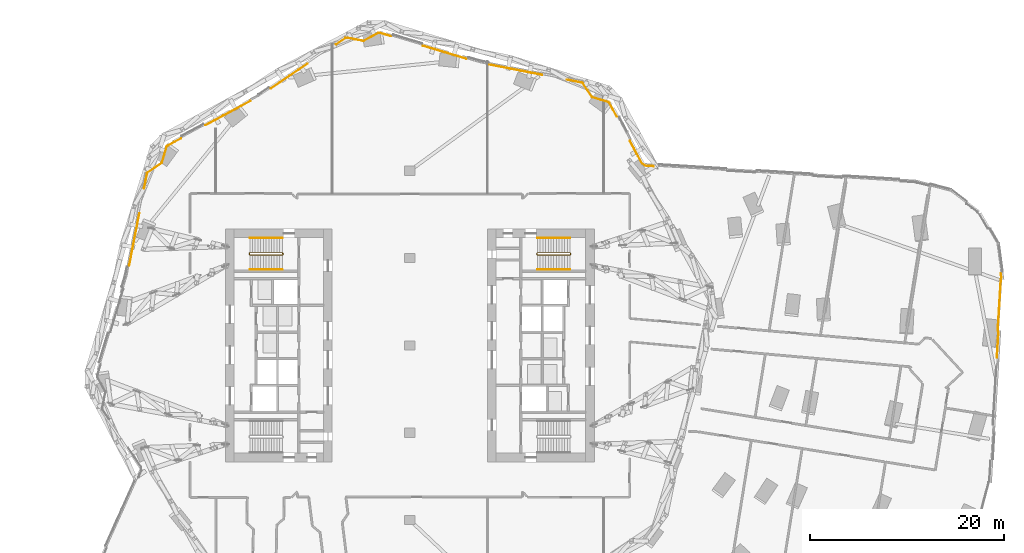
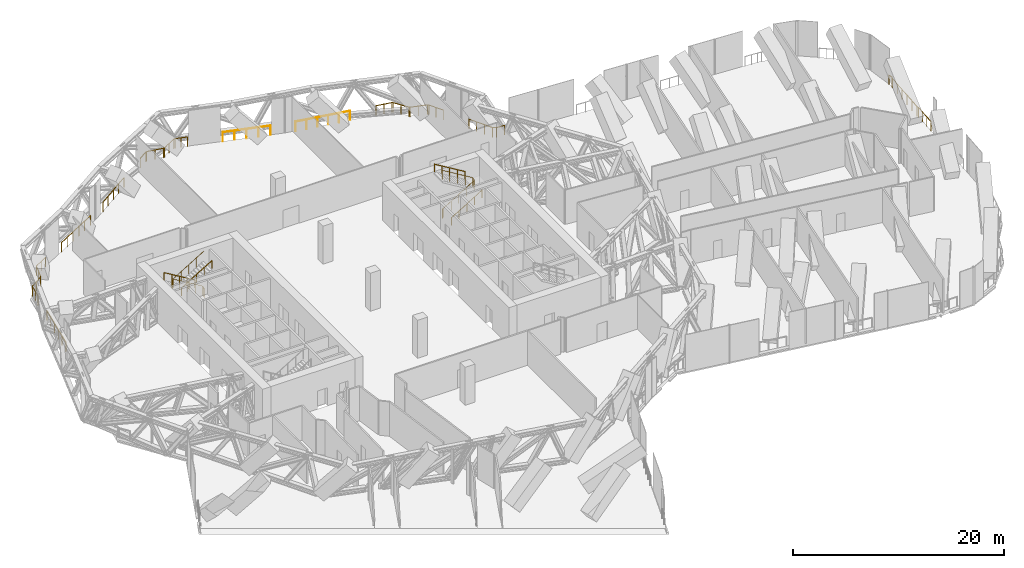
# One storey, part 37 of 39: 16 railings.
"""IFC4 building model written with IfcOpenShell, lengths in metres."""

from ifc_helpers import new_model, si_unit, direction, frame, origin, origin_2d, place, context, subcontext, project, spatial, circle, extrude, material, type_object, element, save


model = new_model("IFC4")

# Units and contexts
model_context = context("Model", 3, precision=1e-05, world=origin(), true_north=direction((0.0, 1.0)))
body_context = subcontext(model_context, "Body", "Model", "MODEL_VIEW")
ifc_project = project(units=[si_unit("LENGTHUNIT", "METRE"), si_unit("AREAUNIT", "SQUARE_METRE"), si_unit("VOLUMEUNIT", "CUBIC_METRE"), si_unit("PLANEANGLEUNIT", "RADIAN"), si_unit("MASSUNIT", "GRAM", prefix="KILO")], contexts=[model_context])

# Site, building, storey
site_placement = place(None, origin())
site = spatial("IfcSite", under=ifc_project, at=site_placement, CompositionType="ELEMENT")
building_placement = place(site_placement, origin())
building = spatial("IfcBuilding", under=site, at=building_placement, Name="Orlundy Tower", CompositionType="ELEMENT")
storey_placement = place(building_placement, frame((0.0, 0.0, 141.199951171875)))
storey = spatial("IfcBuildingStorey", under=building, at=storey_placement, Name="L36", CompositionType="ELEMENT", Elevation=141.199951171875)

# Railings
ifc_material_1 = material(Name="Steel balustrade", Category="steel")
railing_type_1 = type_object("IfcRailingType", Name="Stair Guard 1100", PredefinedType="GUARDRAIL", material=ifc_material_1)
railing_1_placement = place(storey_placement, frame((-13.090087890625, 9.5, 0.0)))
element("IfcRailing", 1, at=railing_1_placement, inside=storey, type_object=railing_type_1, Name="L36 ST-W1 stair guard 1", PredefinedType="GUARDRAIL", context=body_context, shape_type="SweptSolid", body=[
    extrude(circle(Radius=0.02392578125, at=origin_2d()), frame((0.0, 0.0, 1.076171875), z_axis=(0.0, -1.0, 0.0), x_axis=(1.0, 0.0, 0.0)), (0.0, 0.0, 1.0), 0.14990234375),
    extrude(circle(Radius=0.02392578125, at=origin_2d()), frame((0.0, -0.14990234375, 1.076171875), z_axis=(-0.186800498525, 0.749949060256, 0.634572281755), x_axis=(-0.970351222016, -0.241699205484, 0.0)), (0.0, 0.0, 1.0), 0.2666015625),
    extrude(circle(Radius=0.02392578125, at=origin_2d()), frame((-0.0498046875, 0.050048828125, 1.2451171875), z_axis=(-0.855836976705, 0.0, 0.517245656632), x_axis=(0.0, -1.0, 0.0)), (0.0, 0.0, 1.0), 3.926025390625),
    extrude(circle(Radius=0.02392578125, at=origin_2d()), frame((-3.409912109375, 0.050048828125, 3.27587890625), z_axis=(-0.707106781187, -0.707106781187, 0.0), x_axis=(0.707106781187, -0.707106781187, 0.0)), (0.0, 0.0, 1.0), 0.07080078125),
    extrude(circle(Radius=0.02392578125, at=origin_2d()), frame((-3.4599609375, 0.0, 3.27587890625), z_axis=(0.0, -1.0, 0.0), x_axis=(1.0, 0.0, 0.0)), (0.0, 0.0, 1.0), 0.14990234375),
    extrude(circle(Radius=0.02392578125, at=origin_2d()), frame((-3.4599609375, -0.14990234375, 3.27587890625), z_axis=(0.272562526181, -0.272562526181, 0.92272386912), x_axis=(0.707106781187, 0.707106781187, 0.0)), (0.0, 0.0, 1.0), 0.18359375),
    extrude(circle(Radius=0.02392578125, at=origin_2d()), frame((-3.409912109375, -0.199951171875, 3.4453125), z_axis=(0.855836976705, 0.0, 0.517245656632), x_axis=(0.0, 1.0, 0.0)), (0.0, 0.0, 1.0), 3.926025390625),
    extrude(circle(Radius=0.02099609375, at=origin_2d()), origin(), (0.0, 0.0, 1.0), 1.052001953125),
    extrude(circle(Radius=0.02099609375, at=origin_2d()), frame((0.0, -0.14990234375, 0.0)), (0.0, 0.0, 1.0), 1.052001953125),
    extrude(circle(Radius=0.02099609375, at=origin_2d()), frame((-0.0498046875, 0.050048828125, 0.169189453125)), (0.0, 0.0, 1.0), 1.052001953125),
    extrude(circle(Radius=0.02099609375, at=origin_2d()), frame((-0.889892578125, 0.050048828125, 0.6767578125)), (0.0, 0.0, 1.0), 1.052001953125),
    extrude(circle(Radius=0.02099609375, at=origin_2d()), frame((-1.72998046875, 0.050048828125, 1.1845703125)), (0.0, 0.0, 1.0), 1.052001953125),
    extrude(circle(Radius=0.02099609375, at=origin_2d()), frame((-2.56982421875, 0.050048828125, 1.6923828125)), (0.0, 0.0, 1.0), 1.052001953125),
    extrude(circle(Radius=0.02099609375, at=origin_2d()), frame((-3.409912109375, 0.050048828125, 2.199951171875)), (0.0, 0.0, 1.0), 1.052001953125),
    extrude(circle(Radius=0.02099609375, at=origin_2d()), frame((-3.4599609375, 0.0, 2.199951171875)), (0.0, 0.0, 1.0), 1.052001953125),
    extrude(circle(Radius=0.02099609375, at=origin_2d()), frame((-3.4599609375, -0.14990234375, 2.199951171875)), (0.0, 0.0, 1.0), 1.052001953125),
    extrude(circle(Radius=0.02099609375, at=origin_2d()), frame((-3.409912109375, -0.199951171875, 2.369384765625)), (0.0, 0.0, 1.0), 1.052001953125),
    extrude(circle(Radius=0.02099609375, at=origin_2d()), frame((-2.56982421875, -0.199951171875, 2.876953125)), (0.0, 0.0, 1.0), 1.052001953125),
    extrude(circle(Radius=0.02099609375, at=origin_2d()), frame((-1.72998046875, -0.199951171875, 3.384765625)), (0.0, 0.0, 1.0), 1.052001953125),
    extrude(circle(Radius=0.02099609375, at=origin_2d()), frame((-0.889892578125, -0.199951171875, 3.892578125)), (0.0, 0.0, 1.0), 1.052001953125),
    extrude(circle(Radius=0.02099609375, at=origin_2d()), frame((-0.0498046875, -0.199951171875, 4.400146484375)), (0.0, 0.0, 1.0), 1.052001953125),
])
railing_2_placement = place(storey_placement, frame((13.090087890625, 9.35009765625, 0.0)))
element("IfcRailing", 2, at=railing_2_placement, inside=storey, type_object=railing_type_1, Name="L36 ST-E2 stair guard 1", PredefinedType="GUARDRAIL", context=body_context, shape_type="SweptSolid", body=[
    extrude(circle(Radius=0.02392578125, at=origin_2d()), frame((0.0, 0.0, 1.076171875), z_axis=(0.0, 1.0, 0.0), x_axis=(-1.0, 0.0, 0.0)), (0.0, 0.0, 1.0), 0.14990234375),
    extrude(circle(Radius=0.02392578125, at=origin_2d()), frame((0.0, 0.14990234375, 1.076171875), z_axis=(0.186800498525, -0.749949060256, 0.634572281755), x_axis=(0.970351222016, 0.241699205484, 0.0)), (0.0, 0.0, 1.0), 0.2666015625),
    extrude(circle(Radius=0.02392578125, at=origin_2d()), frame((0.0498046875, -0.050048828125, 1.2451171875), z_axis=(0.855836976705, 0.0, 0.517245656632), x_axis=(0.0, 1.0, 0.0)), (0.0, 0.0, 1.0), 3.926025390625),
    extrude(circle(Radius=0.02392578125, at=origin_2d()), frame((3.409912109375, -0.050048828125, 3.27587890625), z_axis=(0.707106781187, 0.707106781187, 0.0), x_axis=(-0.707106781187, 0.707106781187, 0.0)), (0.0, 0.0, 1.0), 0.07080078125),
    extrude(circle(Radius=0.02392578125, at=origin_2d()), frame((3.4599609375, 0.0, 3.27587890625), z_axis=(0.0, 1.0, 0.0), x_axis=(-1.0, 0.0, 0.0)), (0.0, 0.0, 1.0), 0.14990234375),
    extrude(circle(Radius=0.02392578125, at=origin_2d()), frame((3.4599609375, 0.14990234375, 3.27587890625), z_axis=(-0.272562526181, 0.272562526181, 0.92272386912), x_axis=(-0.707106781187, -0.707106781187, 0.0)), (0.0, 0.0, 1.0), 0.18359375),
    extrude(circle(Radius=0.02392578125, at=origin_2d()), frame((3.409912109375, 0.199951171875, 3.4453125), z_axis=(-0.855836976705, 0.0, 0.517245656632), x_axis=(0.0, -1.0, 0.0)), (0.0, 0.0, 1.0), 3.926025390625),
    extrude(circle(Radius=0.02099609375, at=origin_2d()), origin(), (0.0, 0.0, 1.0), 1.052001953125),
    extrude(circle(Radius=0.02099609375, at=origin_2d()), frame((0.0, 0.14990234375, 0.0)), (0.0, 0.0, 1.0), 1.052001953125),
    extrude(circle(Radius=0.02099609375, at=origin_2d()), frame((0.0498046875, -0.050048828125, 0.169189453125)), (0.0, 0.0, 1.0), 1.052001953125),
    extrude(circle(Radius=0.02099609375, at=origin_2d()), frame((0.889892578125, -0.050048828125, 0.6767578125)), (0.0, 0.0, 1.0), 1.052001953125),
    extrude(circle(Radius=0.02099609375, at=origin_2d()), frame((1.72998046875, -0.050048828125, 1.1845703125)), (0.0, 0.0, 1.0), 1.052001953125),
    extrude(circle(Radius=0.02099609375, at=origin_2d()), frame((2.56982421875, -0.050048828125, 1.6923828125)), (0.0, 0.0, 1.0), 1.052001953125),
    extrude(circle(Radius=0.02099609375, at=origin_2d()), frame((3.409912109375, -0.050048828125, 2.199951171875)), (0.0, 0.0, 1.0), 1.052001953125),
    extrude(circle(Radius=0.02099609375, at=origin_2d()), frame((3.4599609375, 0.0, 2.199951171875)), (0.0, 0.0, 1.0), 1.052001953125),
    extrude(circle(Radius=0.02099609375, at=origin_2d()), frame((3.4599609375, 0.14990234375, 2.199951171875)), (0.0, 0.0, 1.0), 1.052001953125),
    extrude(circle(Radius=0.02099609375, at=origin_2d()), frame((3.409912109375, 0.199951171875, 2.369384765625)), (0.0, 0.0, 1.0), 1.052001953125),
    extrude(circle(Radius=0.02099609375, at=origin_2d()), frame((2.56982421875, 0.199951171875, 2.876953125)), (0.0, 0.0, 1.0), 1.052001953125),
    extrude(circle(Radius=0.02099609375, at=origin_2d()), frame((1.72998046875, 0.199951171875, 3.384765625)), (0.0, 0.0, 1.0), 1.052001953125),
    extrude(circle(Radius=0.02099609375, at=origin_2d()), frame((0.889892578125, 0.199951171875, 3.892578125)), (0.0, 0.0, 1.0), 1.052001953125),
    extrude(circle(Radius=0.02099609375, at=origin_2d()), frame((0.0498046875, 0.199951171875, 4.400146484375)), (0.0, 0.0, 1.0), 1.052001953125),
])
ifc_material_2 = material(Name="Steel handrail", Category="steel")
railing_type_2 = type_object("IfcRailingType", Name="Stair Handrail 900", PredefinedType="HANDRAIL", material=ifc_material_2)
railing_3_placement = place(storey_placement, frame((-13.139892578125, 11.050048828125, 0.169189453125)))
element("IfcRailing", 3, at=railing_3_placement, inside=storey, type_object=railing_type_2, Name="L36 ST-W1 stair handrail 1", PredefinedType="HANDRAIL", context=body_context, shape_type="SweptSolid", body=[
    extrude(circle(Radius=0.02392578125, at=origin_2d()), frame((0.0, 0.0, 0.8759765625), z_axis=(-0.855836976705, 0.0, 0.517245656632), x_axis=(0.0, -1.0, 0.0)), (0.0, 0.0, 1.0), 3.926025390625),
    extrude(circle(Radius=0.02099609375, at=origin_2d()), origin(), (0.0, 0.0, 1.0), 0.851806640625),
    extrude(circle(Radius=0.02099609375, at=origin_2d()), frame((-0.840087890625, 0.0, 0.5078125)), (0.0, 0.0, 1.0), 0.851806640625),
    extrude(circle(Radius=0.02099609375, at=origin_2d()), frame((-1.68017578125, 0.0, 1.015380859375)), (0.0, 0.0, 1.0), 0.851806640625),
    extrude(circle(Radius=0.02099609375, at=origin_2d()), frame((-2.52001953125, 0.0, 1.52294921875)), (0.0, 0.0, 1.0), 0.851806640625),
    extrude(circle(Radius=0.02099609375, at=origin_2d()), frame((-3.360107421875, 0.0, 2.03076171875)), (0.0, 0.0, 1.0), 0.851806640625),
])
for number, where, name in (
    (4, (-16.5, 7.800048828125, 2.369384765625), "L36 ST-W1 stair handrail 2"),
    (5, (13.139892578125, 7.800048828125, 0.169189453125), "L36 ST-E2 stair handrail 1"),
):
    element("IfcRailing", number, at=place(storey_placement, frame(where)), inside=storey, type_object=railing_type_2, Name=name, PredefinedType="HANDRAIL", context=body_context, shape_type="SweptSolid", body=[
        extrude(circle(Radius=0.02392578125, at=origin_2d()), frame((0.0, 0.0, 0.8759765625), z_axis=(0.855836976705, 0.0, 0.517245656632), x_axis=(0.0, 1.0, 0.0)), (0.0, 0.0, 1.0), 3.926025390625),
        extrude(circle(Radius=0.02099609375, at=origin_2d()), origin(), (0.0, 0.0, 1.0), 0.851806640625),
        extrude(circle(Radius=0.02099609375, at=origin_2d()), frame((0.840087890625, 0.0, 0.5078125)), (0.0, 0.0, 1.0), 0.851806640625),
        extrude(circle(Radius=0.02099609375, at=origin_2d()), frame((1.68017578125, 0.0, 1.015380859375)), (0.0, 0.0, 1.0), 0.851806640625),
        extrude(circle(Radius=0.02099609375, at=origin_2d()), frame((2.52001953125, 0.0, 1.52294921875)), (0.0, 0.0, 1.0), 0.851806640625),
        extrude(circle(Radius=0.02099609375, at=origin_2d()), frame((3.360107421875, 0.0, 2.03076171875)), (0.0, 0.0, 1.0), 0.851806640625),
    ])
railing_4_placement = place(storey_placement, frame((16.5, 11.050048828125, 2.369384765625)))
element("IfcRailing", 6, at=railing_4_placement, inside=storey, type_object=railing_type_2, Name="L36 ST-E2 stair handrail 2", PredefinedType="HANDRAIL", context=body_context, shape_type="SweptSolid", body=[
    extrude(circle(Radius=0.02392578125, at=origin_2d()), frame((0.0, 0.0, 0.8759765625), z_axis=(-0.855836976705, 0.0, 0.517245656632), x_axis=(0.0, -1.0, 0.0)), (0.0, 0.0, 1.0), 3.926025390625),
    extrude(circle(Radius=0.02099609375, at=origin_2d()), origin(), (0.0, 0.0, 1.0), 0.851806640625),
    extrude(circle(Radius=0.02099609375, at=origin_2d()), frame((-0.840087890625, 0.0, 0.5078125)), (0.0, 0.0, 1.0), 0.851806640625),
    extrude(circle(Radius=0.02099609375, at=origin_2d()), frame((-1.68017578125, 0.0, 1.015380859375)), (0.0, 0.0, 1.0), 0.851806640625),
    extrude(circle(Radius=0.02099609375, at=origin_2d()), frame((-2.52001953125, 0.0, 1.52294921875)), (0.0, 0.0, 1.0), 0.851806640625),
    extrude(circle(Radius=0.02099609375, at=origin_2d()), frame((-3.360107421875, 0.0, 2.03076171875)), (0.0, 0.0, 1.0), 0.851806640625),
])
ifc_material_3 = material(Name="Stainless steel bronze finish", Category="steel")
railing_type_3 = type_object("IfcRailingType", Name="TG1 terrace guard", PredefinedType="GUARDRAIL", material=ifc_material_3)
railing_5_placement = place(storey_placement, frame((60.899169921875, 7.4375, 0.0)))
element("IfcRailing", 7, at=railing_5_placement, inside=storey, type_object=railing_type_3, Name="Guard TG-L36-E00", PredefinedType="GUARDRAIL", context=body_context, shape_type="SweptSolid", body=[
    extrude(circle(Radius=0.02490234375, at=origin_2d()), frame((0.0, 0.0, 1.09521484375), z_axis=(0.134759454564, -0.990878342384, 0.0), x_axis=(0.990878342384, 0.134759454564, 0.0)), (0.0, 0.0, 1.0), 0.4619140625),
    extrude(circle(Radius=0.02490234375, at=origin_2d()), frame((0.062255859375, -0.457763671875, 1.09521484375), z_axis=(-0.275723261576, -0.961237058704, 0.0), x_axis=(0.961237058704, -0.275723261576, 0.0)), (0.0, 0.0, 1.0), 0.193115234375),
    extrude(circle(Radius=0.02490234375, at=origin_2d()), frame((0.009033203125, -0.643310546875, 1.09521484375), z_axis=(-0.0610608954, -0.998134042628, 0.0), x_axis=(0.998134042628, -0.0610608954, 0.0)), (0.0, 0.0, 1.0), 5.249755859375),
    extrude(circle(Radius=0.02490234375, at=origin_2d()), frame((-0.3115234375, -5.88330078125, 1.09521484375), z_axis=(0.314868297753, -0.949135372363, 0.0), x_axis=(0.949135372363, 0.314868297753, 0.0)), (0.0, 0.0, 1.0), 0.215576171875),
    extrude(circle(Radius=0.02490234375, at=origin_2d()), frame((-0.24365234375, -6.087890625, 1.09521484375), z_axis=(-0.061121569949, -0.998130329009, 0.0), x_axis=(0.998130329009, -0.061121569949, 0.0)), (0.0, 0.0, 1.0), 2.58837890625),
    extrude(circle(Radius=0.02001953125, at=origin_2d()), origin(), (0.0, 0.0, 1.0), 1.070068359375),
    extrude(circle(Radius=0.02001953125, at=origin_2d()), frame((0.062255859375, -0.457763671875, 0.0)), (0.0, 0.0, 1.0), 1.070068359375),
    extrude(circle(Radius=0.02001953125, at=origin_2d()), frame((0.009033203125, -0.643310546875, 0.0)), (0.0, 0.0, 1.0), 1.070068359375),
    extrude(circle(Radius=0.02001953125, at=origin_2d()), frame((-0.05517578125, -1.69140625, 0.0)), (0.0, 0.0, 1.0), 1.070068359375),
    extrude(circle(Radius=0.02001953125, at=origin_2d()), frame((-0.119140625, -2.7392578125, 0.0)), (0.0, 0.0, 1.0), 1.070068359375),
    extrude(circle(Radius=0.02001953125, at=origin_2d()), frame((-0.183349609375, -3.787353515625, 0.0)), (0.0, 0.0, 1.0), 1.070068359375),
    extrude(circle(Radius=0.02001953125, at=origin_2d()), frame((-0.247314453125, -4.835205078125, 0.0)), (0.0, 0.0, 1.0), 1.070068359375),
    extrude(circle(Radius=0.02001953125, at=origin_2d()), frame((-0.3115234375, -5.88330078125, 0.0)), (0.0, 0.0, 1.0), 1.070068359375),
    extrude(circle(Radius=0.02001953125, at=origin_2d()), frame((-0.24365234375, -6.087890625, 0.0)), (0.0, 0.0, 1.0), 1.070068359375),
    extrude(circle(Radius=0.02001953125, at=origin_2d()), frame((-0.29638671875, -6.948974609375, 0.0)), (0.0, 0.0, 1.0), 1.070068359375),
    extrude(circle(Radius=0.02001953125, at=origin_2d()), frame((-0.34912109375, -7.810302734375, 0.0)), (0.0, 0.0, 1.0), 1.070068359375),
    extrude(circle(Radius=0.02001953125, at=origin_2d()), frame((-0.40185546875, -8.67138671875, 0.0)), (0.0, 0.0, 1.0), 1.070068359375),
])
railing_6_placement = place(storey_placement, frame((-27.375732421875, 16.18017578125, 0.0)))
element("IfcRailing", 8, at=railing_6_placement, inside=storey, type_object=railing_type_3, Name="Guard TG-L36-E02", PredefinedType="GUARDRAIL", context=body_context, shape_type="SweptSolid", body=[
    extrude(circle(Radius=0.02490234375, at=origin_2d()), frame((0.0, 0.0, 1.09521484375), z_axis=(0.190748693032, 0.981638903114, 0.0), x_axis=(-0.981638903114, 0.190748693032, 0.0)), (0.0, 0.0, 1.0), 1.566650390625),
    extrude(circle(Radius=0.02490234375, at=origin_2d()), frame((0.298828125, 1.537841796875, 1.09521484375), z_axis=(0.533546827306, 0.845770526249, 0.0), x_axis=(-0.845770526249, 0.533546827306, 0.0)), (0.0, 0.0, 1.0), 0.12353515625),
    extrude(circle(Radius=0.02490234375, at=origin_2d()), frame((0.36474609375, 1.642333984375, 1.09521484375), z_axis=(0.829107645762, 0.559089001626, 0.0), x_axis=(-0.559089001626, 0.829107645762, 0.0)), (0.0, 0.0, 1.0), 1.704345703125),
    extrude(circle(Radius=0.02490234375, at=origin_2d()), frame((1.77783203125, 2.59521484375, 1.09521484375), z_axis=(0.591756259435, 0.80611694525, 0.0), x_axis=(-0.80611694525, 0.591756259435, 0.0)), (0.0, 0.0, 1.0), 0.080810546875),
    extrude(circle(Radius=0.02490234375, at=origin_2d()), frame((1.82568359375, 2.660400390625, 1.09521484375), z_axis=(0.286861702407, 0.957972005693, 0.0), x_axis=(-0.957972005693, 0.286861702407, 0.0)), (0.0, 0.0, 1.0), 1.70458984375),
    extrude(circle(Radius=0.02490234375, at=origin_2d()), frame((2.314697265625, 4.29345703125, 1.09521484375), z_axis=(0.648508889691, 0.761207080887, 0.0), x_axis=(-0.761207080887, 0.648508889691, 0.0)), (0.0, 0.0, 1.0), 0.12353515625),
    extrude(circle(Radius=0.02490234375, at=origin_2d()), frame((2.394775390625, 4.387451171875, 1.09521484375), z_axis=(0.880125628188, 0.474740854158, 0.0), x_axis=(-0.474740854158, 0.880125628188, 0.0)), (0.0, 0.0, 1.0), 1.6123046875),
    extrude(circle(Radius=0.02001953125, at=origin_2d()), origin(), (0.0, 0.0, 1.0), 1.070068359375),
    extrude(circle(Radius=0.02001953125, at=origin_2d()), frame((0.1494140625, 0.76904296875, 0.0)), (0.0, 0.0, 1.0), 1.070068359375),
    extrude(circle(Radius=0.02001953125, at=origin_2d()), frame((0.298828125, 1.537841796875, 0.0)), (0.0, 0.0, 1.0), 1.070068359375),
    extrude(circle(Radius=0.02001953125, at=origin_2d()), frame((0.36474609375, 1.642333984375, 0.0)), (0.0, 0.0, 1.0), 1.070068359375),
    extrude(circle(Radius=0.02001953125, at=origin_2d()), frame((1.0712890625, 2.11865234375, 0.0)), (0.0, 0.0, 1.0), 1.070068359375),
    extrude(circle(Radius=0.02001953125, at=origin_2d()), frame((1.77783203125, 2.59521484375, 0.0)), (0.0, 0.0, 1.0), 1.070068359375),
    extrude(circle(Radius=0.02001953125, at=origin_2d()), frame((1.82568359375, 2.660400390625, 0.0)), (0.0, 0.0, 1.0), 1.070068359375),
    extrude(circle(Radius=0.02001953125, at=origin_2d()), frame((2.0703125, 3.47705078125, 0.0)), (0.0, 0.0, 1.0), 1.070068359375),
    extrude(circle(Radius=0.02001953125, at=origin_2d()), frame((2.314697265625, 4.29345703125, 0.0)), (0.0, 0.0, 1.0), 1.070068359375),
    extrude(circle(Radius=0.02001953125, at=origin_2d()), frame((2.394775390625, 4.387451171875, 0.0)), (0.0, 0.0, 1.0), 1.070068359375),
    extrude(circle(Radius=0.02001953125, at=origin_2d()), frame((3.104248046875, 4.77001953125, 0.0)), (0.0, 0.0, 1.0), 1.070068359375),
    extrude(circle(Radius=0.02001953125, at=origin_2d()), frame((3.813720703125, 5.15283203125, 0.0)), (0.0, 0.0, 1.0), 1.070068359375),
])
railing_7_placement = place(storey_placement, frame((16.18017578125, 27.375732421875, 0.0)))
element("IfcRailing", 9, at=railing_7_placement, inside=storey, type_object=railing_type_3, Name="Guard TG-L36-E03", PredefinedType="GUARDRAIL", context=body_context, shape_type="SweptSolid", body=[
    extrude(circle(Radius=0.02490234375, at=origin_2d()), frame((0.0, 0.0, 1.09521484375), z_axis=(0.981638903114, -0.190748693032, 0.0), x_axis=(0.190748693032, 0.981638903114, 0.0)), (0.0, 0.0, 1.0), 1.566650390625),
    extrude(circle(Radius=0.02490234375, at=origin_2d()), frame((1.537841796875, -0.298828125, 1.09521484375), z_axis=(0.845770526249, -0.533546827306, 0.0), x_axis=(0.533546827306, 0.845770526249, 0.0)), (0.0, 0.0, 1.0), 0.12353515625),
    extrude(circle(Radius=0.02490234375, at=origin_2d()), frame((1.642333984375, -0.36474609375, 1.09521484375), z_axis=(0.559089001626, -0.829107645762, 0.0), x_axis=(0.829107645762, 0.559089001626, 0.0)), (0.0, 0.0, 1.0), 1.704345703125),
    extrude(circle(Radius=0.02490234375, at=origin_2d()), frame((2.59521484375, -1.77783203125, 1.09521484375), z_axis=(0.80611694525, -0.591756259435, 0.0), x_axis=(0.591756259435, 0.80611694525, 0.0)), (0.0, 0.0, 1.0), 0.080810546875),
    extrude(circle(Radius=0.02490234375, at=origin_2d()), frame((2.660400390625, -1.82568359375, 1.09521484375), z_axis=(0.957972005693, -0.286861702407, 0.0), x_axis=(0.286861702407, 0.957972005693, 0.0)), (0.0, 0.0, 1.0), 1.70458984375),
    extrude(circle(Radius=0.02490234375, at=origin_2d()), frame((4.29345703125, -2.314697265625, 1.09521484375), z_axis=(0.761207080887, -0.648508889691, 0.0), x_axis=(0.648508889691, 0.761207080887, 0.0)), (0.0, 0.0, 1.0), 0.12353515625),
    extrude(circle(Radius=0.02490234375, at=origin_2d()), frame((4.387451171875, -2.394775390625, 1.09521484375), z_axis=(0.474740854158, -0.880125628188, 0.0), x_axis=(0.880125628188, 0.474740854158, 0.0)), (0.0, 0.0, 1.0), 1.6123046875),
    extrude(circle(Radius=0.02001953125, at=origin_2d()), origin(), (0.0, 0.0, 1.0), 1.070068359375),
    extrude(circle(Radius=0.02001953125, at=origin_2d()), frame((0.76904296875, -0.1494140625, 0.0)), (0.0, 0.0, 1.0), 1.070068359375),
    extrude(circle(Radius=0.02001953125, at=origin_2d()), frame((1.537841796875, -0.298828125, 0.0)), (0.0, 0.0, 1.0), 1.070068359375),
    extrude(circle(Radius=0.02001953125, at=origin_2d()), frame((1.642333984375, -0.36474609375, 0.0)), (0.0, 0.0, 1.0), 1.070068359375),
    extrude(circle(Radius=0.02001953125, at=origin_2d()), frame((2.11865234375, -1.0712890625, 0.0)), (0.0, 0.0, 1.0), 1.070068359375),
    extrude(circle(Radius=0.02001953125, at=origin_2d()), frame((2.59521484375, -1.77783203125, 0.0)), (0.0, 0.0, 1.0), 1.070068359375),
    extrude(circle(Radius=0.02001953125, at=origin_2d()), frame((2.660400390625, -1.82568359375, 0.0)), (0.0, 0.0, 1.0), 1.070068359375),
    extrude(circle(Radius=0.02001953125, at=origin_2d()), frame((3.47705078125, -2.0703125, 0.0)), (0.0, 0.0, 1.0), 1.070068359375),
    extrude(circle(Radius=0.02001953125, at=origin_2d()), frame((4.29345703125, -2.314697265625, 0.0)), (0.0, 0.0, 1.0), 1.070068359375),
    extrude(circle(Radius=0.02001953125, at=origin_2d()), frame((4.387451171875, -2.394775390625, 0.0)), (0.0, 0.0, 1.0), 1.070068359375),
    extrude(circle(Radius=0.02001953125, at=origin_2d()), frame((4.77001953125, -3.104248046875, 0.0)), (0.0, 0.0, 1.0), 1.070068359375),
    extrude(circle(Radius=0.02001953125, at=origin_2d()), frame((5.15283203125, -3.813720703125, 0.0)), (0.0, 0.0, 1.0), 1.070068359375),
])
railing_8_placement = place(storey_placement, frame((-7.59326171875, 31.016845703125, 0.0)))
element("IfcRailing", 10, at=railing_8_placement, inside=storey, type_object=railing_type_3, Name="Guard TG-L36-E06", PredefinedType="GUARDRAIL", context=body_context, shape_type="SweptSolid", body=[
    extrude(circle(Radius=0.02490234375, at=origin_2d()), frame((0.0, 0.0, 1.09521484375), z_axis=(0.829038586213, 0.559191400658, 0.0), x_axis=(-0.559191400658, 0.829038586213, 0.0)), (0.0, 0.0, 1.0), 1.177001953125),
    extrude(circle(Radius=0.02490234375, at=origin_2d()), frame((0.975830078125, 0.658203125, 1.09521484375), z_axis=(0.975673161231, 0.219230204244, 0.0), x_axis=(-0.219230204244, 0.975673161231, 0.0)), (0.0, 0.0, 1.0), 0.12353515625),
    extrude(circle(Radius=0.02490234375, at=origin_2d()), frame((1.096435546875, 0.685302734375, 1.09521484375), z_axis=(0.98165116201, -0.190685594956, 0.0), x_axis=(0.190685594956, 0.98165116201, 0.0)), (0.0, 0.0, 1.0), 1.7041015625),
    extrude(circle(Radius=0.02490234375, at=origin_2d()), frame((2.769287109375, 0.3603515625, 1.09521484375), z_axis=(0.988511070485, 0.151148481726, 0.0), x_axis=(-0.151148481726, 0.988511070485, 0.0)), (0.0, 0.0, 1.0), 0.080810546875),
    extrude(circle(Radius=0.02490234375, at=origin_2d()), frame((2.84912109375, 0.37255859375, 1.09521484375), z_axis=(0.880259528938, 0.474492530725, 0.0), x_axis=(-0.474492530725, 0.880259528938, 0.0)), (0.0, 0.0, 1.0), 1.705078125),
    extrude(circle(Radius=0.02490234375, at=origin_2d()), frame((4.35009765625, 1.181640625, 1.09521484375), z_axis=(0.996877736549, 0.078960612796, 0.0), x_axis=(-0.078960612796, 0.996877736549, 0.0)), (0.0, 0.0, 1.0), 0.123779296875),
    extrude(circle(Radius=0.02490234375, at=origin_2d()), frame((4.473388671875, 1.19140625, 1.09521484375), z_axis=(0.958001740076, -0.286762385976, 0.0), x_axis=(0.286762385976, 0.958001740076, 0.0)), (0.0, 0.0, 1.0), 1.224365234375),
    extrude(circle(Radius=0.02001953125, at=origin_2d()), origin(), (0.0, 0.0, 1.0), 1.070068359375),
    extrude(circle(Radius=0.02001953125, at=origin_2d()), frame((0.975830078125, 0.658203125, 0.0)), (0.0, 0.0, 1.0), 1.070068359375),
    extrude(circle(Radius=0.02001953125, at=origin_2d()), frame((1.096435546875, 0.685302734375, 0.0)), (0.0, 0.0, 1.0), 1.070068359375),
    extrude(circle(Radius=0.02001953125, at=origin_2d()), frame((1.932861328125, 0.52294921875, 0.0)), (0.0, 0.0, 1.0), 1.070068359375),
    extrude(circle(Radius=0.02001953125, at=origin_2d()), frame((2.769287109375, 0.3603515625, 0.0)), (0.0, 0.0, 1.0), 1.070068359375),
    extrude(circle(Radius=0.02001953125, at=origin_2d()), frame((2.84912109375, 0.37255859375, 0.0)), (0.0, 0.0, 1.0), 1.070068359375),
    extrude(circle(Radius=0.02001953125, at=origin_2d()), frame((3.599609375, 0.777099609375, 0.0)), (0.0, 0.0, 1.0), 1.070068359375),
    extrude(circle(Radius=0.02001953125, at=origin_2d()), frame((4.35009765625, 1.181640625, 0.0)), (0.0, 0.0, 1.0), 1.070068359375),
    extrude(circle(Radius=0.02001953125, at=origin_2d()), frame((4.473388671875, 1.19140625, 0.0)), (0.0, 0.0, 1.0), 1.070068359375),
    extrude(circle(Radius=0.02001953125, at=origin_2d()), frame((5.059814453125, 1.015869140625, 0.0)), (0.0, 0.0, 1.0), 1.070068359375),
    extrude(circle(Radius=0.02001953125, at=origin_2d()), frame((5.646240234375, 0.84033203125, 0.0)), (0.0, 0.0, 1.0), 1.070068359375),
])
railing_9_placement = place(storey_placement, frame((-28.921875, 8.224609375, 0.0)))
element("IfcRailing", 11, at=railing_9_placement, inside=storey, type_object=railing_type_3, Name="Guard TG-L36-E013", PredefinedType="GUARDRAIL", context=body_context, shape_type="SweptSolid", body=[
    extrude(circle(Radius=0.02490234375, at=origin_2d()), frame((0.0, 0.0, 1.09521484375), z_axis=(0.1907648468, 0.981635764031, 0.0), x_axis=(-0.981635764031, 0.1907648468, 0.0)), (0.0, 0.0, 1.0), 5.486572265625),
    extrude(circle(Radius=0.02001953125, at=origin_2d()), origin(), (0.0, 0.0, 1.0), 1.070068359375),
    extrude(circle(Radius=0.02001953125, at=origin_2d()), frame((0.209228515625, 1.0771484375, 0.0)), (0.0, 0.0, 1.0), 1.070068359375),
    extrude(circle(Radius=0.02001953125, at=origin_2d()), frame((0.418701171875, 2.154296875, 0.0)), (0.0, 0.0, 1.0), 1.070068359375),
    extrude(circle(Radius=0.02001953125, at=origin_2d()), frame((0.6279296875, 3.2314453125, 0.0)), (0.0, 0.0, 1.0), 1.070068359375),
    extrude(circle(Radius=0.02001953125, at=origin_2d()), frame((0.83740234375, 4.30859375, 0.0)), (0.0, 0.0, 1.0), 1.070068359375),
    extrude(circle(Radius=0.02001953125, at=origin_2d()), frame((1.046630859375, 5.3857421875, 0.0)), (0.0, 0.0, 1.0), 1.070068359375),
])
railing_10_placement = place(storey_placement, frame((8.224609375, 28.921875, 0.0)))
element("IfcRailing", 12, at=railing_10_placement, inside=storey, type_object=railing_type_3, Name="Guard TG-L36-E014", PredefinedType="GUARDRAIL", context=body_context, shape_type="SweptSolid", body=[
    extrude(circle(Radius=0.02490234375, at=origin_2d()), frame((0.0, 0.0, 1.09521484375), z_axis=(0.981635764031, -0.1907648468, 0.0), x_axis=(0.1907648468, 0.981635764031, 0.0)), (0.0, 0.0, 1.0), 5.486572265625),
    extrude(circle(Radius=0.02001953125, at=origin_2d()), origin(), (0.0, 0.0, 1.0), 1.070068359375),
    extrude(circle(Radius=0.02001953125, at=origin_2d()), frame((1.0771484375, -0.209228515625, 0.0)), (0.0, 0.0, 1.0), 1.070068359375),
    extrude(circle(Radius=0.02001953125, at=origin_2d()), frame((2.154296875, -0.418701171875, 0.0)), (0.0, 0.0, 1.0), 1.070068359375),
    extrude(circle(Radius=0.02001953125, at=origin_2d()), frame((3.2314453125, -0.6279296875, 0.0)), (0.0, 0.0, 1.0), 1.070068359375),
    extrude(circle(Radius=0.02001953125, at=origin_2d()), frame((4.30859375, -0.83740234375, 0.0)), (0.0, 0.0, 1.0), 1.070068359375),
    extrude(circle(Radius=0.02001953125, at=origin_2d()), frame((5.3857421875, -1.046630859375, 0.0)), (0.0, 0.0, 1.0), 1.070068359375),
])
railing_11_placement = place(storey_placement, frame((-21.05078125, 22.68701171875, 0.0)))
element("IfcRailing", 13, at=railing_11_placement, inside=storey, type_object=railing_type_3, Name="Guard TG-L36-E015", PredefinedType="GUARDRAIL", context=body_context, shape_type="SweptSolid", body=[
    extrude(circle(Radius=0.02490234375, at=origin_2d()), frame((0.0, 0.0, 1.09521484375), z_axis=(0.880165396085, 0.474667120765, 0.0), x_axis=(-0.474667120765, 0.880165396085, 0.0)), (0.0, 0.0, 1.0), 5.234375),
    extrude(circle(Radius=0.02001953125, at=origin_2d()), origin(), (0.0, 0.0, 1.0), 1.070068359375),
    extrude(circle(Radius=0.02001953125, at=origin_2d()), frame((0.92138671875, 0.496826171875, 0.0)), (0.0, 0.0, 1.0), 1.070068359375),
    extrude(circle(Radius=0.02001953125, at=origin_2d()), frame((1.8427734375, 0.993896484375, 0.0)), (0.0, 0.0, 1.0), 1.070068359375),
    extrude(circle(Radius=0.02001953125, at=origin_2d()), frame((2.764404296875, 1.49072265625, 0.0)), (0.0, 0.0, 1.0), 1.070068359375),
    extrude(circle(Radius=0.02001953125, at=origin_2d()), frame((3.685791015625, 1.98779296875, 0.0)), (0.0, 0.0, 1.0), 1.070068359375),
    extrude(circle(Radius=0.02001953125, at=origin_2d()), frame((4.607177734375, 2.484619140625, 0.0)), (0.0, 0.0, 1.0), 1.070068359375),
])
railing_12_placement = place(storey_placement, frame((1.361572265625, 30.866455078125, 0.0)))
element("IfcRailing", 14, at=railing_12_placement, inside=storey, type_object=railing_type_3, Name="Guard TG-L36-E018", PredefinedType="GUARDRAIL", context=body_context, shape_type="SweptSolid", body=[
    extrude(circle(Radius=0.02490234375, at=origin_2d()), frame((0.0, 0.0, 1.09521484375), z_axis=(0.957973569675, -0.286856479453, 0.0), x_axis=(0.286856479453, 0.957973569675, 0.0)), (0.0, 0.0, 1.0), 4.6494140625),
    extrude(circle(Radius=0.02001953125, at=origin_2d()), origin(), (0.0, 0.0, 1.0), 1.070068359375),
    extrude(circle(Radius=0.02001953125, at=origin_2d()), frame((1.113525390625, -0.33349609375, 0.0)), (0.0, 0.0, 1.0), 1.070068359375),
    extrude(circle(Radius=0.02001953125, at=origin_2d()), frame((2.22705078125, -0.6669921875, 0.0)), (0.0, 0.0, 1.0), 1.070068359375),
    extrude(circle(Radius=0.02001953125, at=origin_2d()), frame((3.340576171875, -1.000244140625, 0.0)), (0.0, 0.0, 1.0), 1.070068359375),
    extrude(circle(Radius=0.02001953125, at=origin_2d()), frame((4.4541015625, -1.333740234375, 0.0)), (0.0, 0.0, 1.0), 1.070068359375),
])
railing_13_placement = place(storey_placement, frame((-14.309814453125, 26.486572265625, 0.0)))
element("IfcRailing", 15, at=railing_13_placement, inside=storey, type_object=railing_type_3, Name="Guard TG-L36-E019", PredefinedType="GUARDRAIL", context=body_context, shape_type="SweptSolid", body=[
    extrude(circle(Radius=0.02490234375, at=origin_2d()), frame((0.0, 0.0, 1.09521484375), z_axis=(0.829040209518, 0.559188993992, 0.0), x_axis=(-0.559188993992, 0.829040209518, 0.0)), (0.0, 0.0, 1.0), 4.535400390625),
    extrude(circle(Radius=0.02001953125, at=origin_2d()), origin(), (0.0, 0.0, 1.0), 1.070068359375),
    extrude(circle(Radius=0.02001953125, at=origin_2d()), frame((0.93994140625, 0.634033203125, 0.0)), (0.0, 0.0, 1.0), 1.070068359375),
    extrude(circle(Radius=0.02001953125, at=origin_2d()), frame((1.8798828125, 1.26806640625, 0.0)), (0.0, 0.0, 1.0), 1.070068359375),
    extrude(circle(Radius=0.02001953125, at=origin_2d()), frame((2.820068359375, 1.902099609375, 0.0)), (0.0, 0.0, 1.0), 1.070068359375),
    extrude(circle(Radius=0.02001953125, at=origin_2d()), frame((3.760009765625, 2.5361328125, 0.0)), (0.0, 0.0, 1.0), 1.070068359375),
])
railing_14_placement = place(storey_placement, frame((22.68701171875, 21.05078125, 0.0)))
element("IfcRailing", 16, at=railing_14_placement, inside=storey, type_object=railing_type_3, Name="Guard TG-L36-E023", PredefinedType="GUARDRAIL", context=body_context, shape_type="SweptSolid", body=[
    extrude(circle(Radius=0.02490234375, at=origin_2d()), frame((0.0, 0.0, 1.09521484375), z_axis=(0.474683023679, -0.880156819567, 0.0), x_axis=(0.880156819567, 0.474683023679, 0.0)), (0.0, 0.0, 1.0), 2.645751953125),
    extrude(circle(Radius=0.02490234375, at=origin_2d()), frame((1.255859375, -2.32861328125, 1.09521484375), z_axis=(0.842624981399, -0.538500827039, 0.0), x_axis=(0.538500827039, 0.842624981399, 0.0)), (0.0, 0.0, 1.0), 0.388427734375),
    extrude(circle(Radius=0.02490234375, at=origin_2d()), frame((1.583251953125, -2.537841796875, 1.09521484375), z_axis=(0.998125333047, -0.061203100651, 0.0), x_axis=(0.061203100651, 0.998125333047, 0.0)), (0.0, 0.0, 1.0), 0.853759765625),
    extrude(circle(Radius=0.02001953125, at=origin_2d()), origin(), (0.0, 0.0, 1.0), 1.070068359375),
    extrude(circle(Radius=0.02001953125, at=origin_2d()), frame((0.418701171875, -0.776123046875, 0.0)), (0.0, 0.0, 1.0), 1.070068359375),
    extrude(circle(Radius=0.02001953125, at=origin_2d()), frame((0.837158203125, -1.552490234375, 0.0)), (0.0, 0.0, 1.0), 1.070068359375),
    extrude(circle(Radius=0.02001953125, at=origin_2d()), frame((1.255859375, -2.32861328125, 0.0)), (0.0, 0.0, 1.0), 1.070068359375),
    extrude(circle(Radius=0.02001953125, at=origin_2d()), frame((1.583251953125, -2.537841796875, 0.0)), (0.0, 0.0, 1.0), 1.070068359375),
    extrude(circle(Radius=0.02001953125, at=origin_2d()), frame((2.435302734375, -2.590087890625, 0.0)), (0.0, 0.0, 1.0), 1.070068359375),
])

save(model, "model.ifc")
